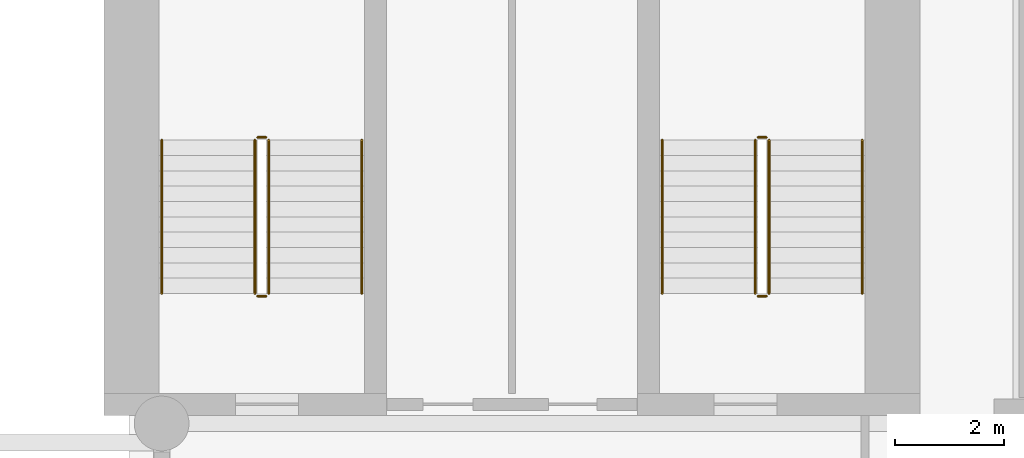
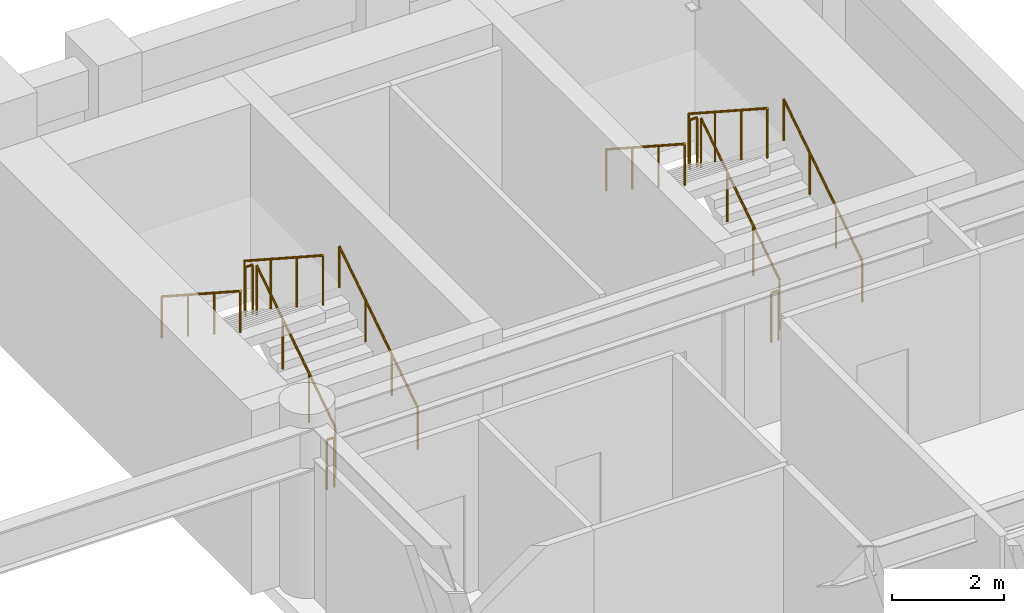
# One storey, part 7 of 7: 12 railings.
"""IFC4 building model written with IfcOpenShell, lengths in metres."""

from ifc_helpers import new_model, si_unit, direction, frame, origin, origin_2d, place, context, subcontext, project, spatial, circle, extrude, material, type_object, element, save


model = new_model("IFC4")

# Units and contexts
model_context = context("Model", 3, precision=1e-05, world=origin(), true_north=direction((0.0, 1.0)))
body_context = subcontext(model_context, "Body", "Model", "MODEL_VIEW")
ifc_project = project(units=[si_unit("LENGTHUNIT", "METRE"), si_unit("AREAUNIT", "SQUARE_METRE"), si_unit("VOLUMEUNIT", "CUBIC_METRE"), si_unit("PLANEANGLEUNIT", "RADIAN"), si_unit("MASSUNIT", "GRAM", prefix="KILO")], contexts=[model_context])

# Site, building, storey
site_placement = place(None, origin())
site = spatial("IfcSite", under=ifc_project, at=site_placement, CompositionType="ELEMENT")
building_placement = place(site_placement, origin())
building = spatial("IfcBuilding", under=site, at=building_placement, Name="Sulina Concourse Tower", CompositionType="ELEMENT")
storey_placement = place(building_placement, frame((0.0, 0.0, 34.60009765625)))
storey = spatial("IfcBuildingStorey", under=building, at=storey_placement, Name="L08", CompositionType="ELEMENT", Elevation=34.60009765625)

# Railings
ifc_material_1 = material(Name="Galvanised steel railing", Category="steel")
railing_type_1 = type_object("IfcRailingType", Name="Core Stair Steel Guardrail 1150mm", PredefinedType="GUARDRAIL", material=ifc_material_1)
railing_1_placement = place(storey_placement, frame((43.554931640625, 36.375, 0.181640625)))
element("IfcRailing", 1, at=railing_1_placement, inside=storey, type_object=railing_type_1, Name="L08 ST-3 stair guard 1", PredefinedType="GUARDRAIL", context=body_context, shape_type="SweptSolid", body=[
    extrude(circle(Radius=0.02392578125, at=origin_2d()), frame((0.0, 0.0, 1.076171875), z_axis=(0.0, 0.838672427954, 0.544636170843), x_axis=(-1.0, 0.0, 0.0)), (0.0, 0.0, 1.0), 3.338623046875),
    extrude(circle(Radius=0.02099609375, at=origin_2d()), origin(), (0.0, 0.0, 1.0), 1.052001953125),
    extrude(circle(Radius=0.02099609375, at=origin_2d()), frame((0.0, 0.933349609375, 0.606201171875)), (0.0, 0.0, 1.0), 1.052001953125),
    extrude(circle(Radius=0.02099609375, at=origin_2d()), frame((0.0, 1.86669921875, 1.212158203125)), (0.0, 0.0, 1.0), 1.052001953125),
    extrude(circle(Radius=0.02099609375, at=origin_2d()), frame((0.0, 2.800048828125, 1.818359375)), (0.0, 0.0, 1.0), 1.052001953125),
])
railing_2_placement = place(storey_placement, frame((43.5048828125, 39.22509765625, 2.0)))
element("IfcRailing", 2, at=railing_2_placement, inside=storey, type_object=railing_type_1, Name="L08 ST-3 stair guard 2", PredefinedType="GUARDRAIL", context=body_context, shape_type="SweptSolid", body=[
    extrude(circle(Radius=0.02392578125, at=origin_2d()), frame((0.0, 0.0, 1.076171875), z_axis=(-1.0, 0.0, 0.0), x_axis=(0.0, -1.0, 0.0)), (0.0, 0.0, 1.0), 0.14990234375),
    extrude(circle(Radius=0.02099609375, at=origin_2d()), origin(), (0.0, 0.0, 1.0), 1.052001953125),
    extrude(circle(Radius=0.02099609375, at=origin_2d()), frame((-0.14990234375, 0.0, 0.0)), (0.0, 0.0, 1.0), 1.052001953125),
])
railing_3_placement = place(storey_placement, frame((43.304931640625, 39.175048828125, 2.181640625)))
element("IfcRailing", 3, at=railing_3_placement, inside=storey, type_object=railing_type_1, Name="L08 ST-3 stair guard 3", PredefinedType="GUARDRAIL", context=body_context, shape_type="SweptSolid", body=[
    extrude(circle(Radius=0.02392578125, at=origin_2d()), frame((0.0, 0.0, 1.076171875), z_axis=(0.0, -0.838672427954, 0.544636170843), x_axis=(1.0, 0.0, 0.0)), (0.0, 0.0, 1.0), 3.338623046875),
    extrude(circle(Radius=0.02099609375, at=origin_2d()), origin(), (0.0, 0.0, 1.0), 1.052001953125),
    extrude(circle(Radius=0.02099609375, at=origin_2d()), frame((0.0, -0.933349609375, 0.606201171875)), (0.0, 0.0, 1.0), 1.052001953125),
    extrude(circle(Radius=0.02099609375, at=origin_2d()), frame((0.0, -1.86669921875, 1.212158203125)), (0.0, 0.0, 1.0), 1.052001953125),
    extrude(circle(Radius=0.02099609375, at=origin_2d()), frame((0.0, -2.800048828125, 1.818359375)), (0.0, 0.0, 1.0), 1.052001953125),
])
railing_4_placement = place(storey_placement, frame((43.5048828125, 36.324951171875, 0.0)))
element("IfcRailing", 4, at=railing_4_placement, inside=storey, type_object=railing_type_1, Name="L08 ST-3 stair guard 4", PredefinedType="GUARDRAIL", context=body_context, shape_type="SweptSolid", body=[
    extrude(circle(Radius=0.02392578125, at=origin_2d()), frame((0.0, 0.0, 1.076171875), z_axis=(-1.0, 0.0, 0.0), x_axis=(0.0, -1.0, 0.0)), (0.0, 0.0, 1.0), 0.14990234375),
    extrude(circle(Radius=0.02099609375, at=origin_2d()), origin(), (0.0, 0.0, 1.0), 1.052001953125),
    extrude(circle(Radius=0.02099609375, at=origin_2d()), frame((-0.14990234375, 0.0, 0.0)), (0.0, 0.0, 1.0), 1.052001953125),
])
railing_5_placement = place(storey_placement, frame((52.695068359375, 36.375, 0.181640625)))
element("IfcRailing", 5, at=railing_5_placement, inside=storey, type_object=railing_type_1, Name="L08 ST-4 stair guard 1", PredefinedType="GUARDRAIL", context=body_context, shape_type="SweptSolid", body=[
    extrude(circle(Radius=0.02392578125, at=origin_2d()), frame((0.0, 0.0, 1.076171875), z_axis=(0.0, 0.838672427954, 0.544636170843), x_axis=(-1.0, 0.0, 0.0)), (0.0, 0.0, 1.0), 3.338623046875),
    extrude(circle(Radius=0.02099609375, at=origin_2d()), origin(), (0.0, 0.0, 1.0), 1.052001953125),
    extrude(circle(Radius=0.02099609375, at=origin_2d()), frame((0.0, 0.933349609375, 0.606201171875)), (0.0, 0.0, 1.0), 1.052001953125),
    extrude(circle(Radius=0.02099609375, at=origin_2d()), frame((0.0, 1.86669921875, 1.212158203125)), (0.0, 0.0, 1.0), 1.052001953125),
    extrude(circle(Radius=0.02099609375, at=origin_2d()), frame((0.0, 2.800048828125, 1.818359375)), (0.0, 0.0, 1.0), 1.052001953125),
])
railing_6_placement = place(storey_placement, frame((52.64501953125, 39.22509765625, 2.0)))
element("IfcRailing", 6, at=railing_6_placement, inside=storey, type_object=railing_type_1, Name="L08 ST-4 stair guard 2", PredefinedType="GUARDRAIL", context=body_context, shape_type="SweptSolid", body=[
    extrude(circle(Radius=0.02392578125, at=origin_2d()), frame((0.0, 0.0, 1.076171875), z_axis=(-1.0, 0.0, 0.0), x_axis=(0.0, -1.0, 0.0)), (0.0, 0.0, 1.0), 0.14990234375),
    extrude(circle(Radius=0.02099609375, at=origin_2d()), origin(), (0.0, 0.0, 1.0), 1.052001953125),
    extrude(circle(Radius=0.02099609375, at=origin_2d()), frame((-0.14990234375, 0.0, 0.0)), (0.0, 0.0, 1.0), 1.052001953125),
])
railing_7_placement = place(storey_placement, frame((52.445068359375, 39.175048828125, 2.181640625)))
element("IfcRailing", 7, at=railing_7_placement, inside=storey, type_object=railing_type_1, Name="L08 ST-4 stair guard 3", PredefinedType="GUARDRAIL", context=body_context, shape_type="SweptSolid", body=[
    extrude(circle(Radius=0.02392578125, at=origin_2d()), frame((0.0, 0.0, 1.076171875), z_axis=(0.0, -0.838672427954, 0.544636170843), x_axis=(1.0, 0.0, 0.0)), (0.0, 0.0, 1.0), 3.338623046875),
    extrude(circle(Radius=0.02099609375, at=origin_2d()), origin(), (0.0, 0.0, 1.0), 1.052001953125),
    extrude(circle(Radius=0.02099609375, at=origin_2d()), frame((0.0, -0.933349609375, 0.606201171875)), (0.0, 0.0, 1.0), 1.052001953125),
    extrude(circle(Radius=0.02099609375, at=origin_2d()), frame((0.0, -1.86669921875, 1.212158203125)), (0.0, 0.0, 1.0), 1.052001953125),
    extrude(circle(Radius=0.02099609375, at=origin_2d()), frame((0.0, -2.800048828125, 1.818359375)), (0.0, 0.0, 1.0), 1.052001953125),
])
railing_8_placement = place(storey_placement, frame((52.64501953125, 36.324951171875, 0.0)))
element("IfcRailing", 8, at=railing_8_placement, inside=storey, type_object=railing_type_1, Name="L08 ST-4 stair guard 4", PredefinedType="GUARDRAIL", context=body_context, shape_type="SweptSolid", body=[
    extrude(circle(Radius=0.02392578125, at=origin_2d()), frame((0.0, 0.0, 1.076171875), z_axis=(-1.0, 0.0, 0.0), x_axis=(0.0, -1.0, 0.0)), (0.0, 0.0, 1.0), 0.14990234375),
    extrude(circle(Radius=0.02099609375, at=origin_2d()), origin(), (0.0, 0.0, 1.0), 1.052001953125),
    extrude(circle(Radius=0.02099609375, at=origin_2d()), frame((-0.14990234375, 0.0, 0.0)), (0.0, 0.0, 1.0), 1.052001953125),
])
ifc_material_2 = material(Name="Galvanised steel railing", Category="steel")
railing_type_2 = type_object("IfcRailingType", Name="Stair Wall Steel Handrail 920mm", PredefinedType="HANDRAIL", material=ifc_material_2)
railing_9_placement = place(storey_placement, frame((45.2548828125, 36.375, 0.181640625)))
element("IfcRailing", 9, at=railing_9_placement, inside=storey, type_object=railing_type_2, Name="L08 ST-3 stair handrail 1", PredefinedType="HANDRAIL", context=body_context, shape_type="SweptSolid", body=[
    extrude(circle(Radius=0.02392578125, at=origin_2d()), frame((0.0, 0.0, 0.89599609375), z_axis=(0.0, 0.838672427954, 0.544636170843), x_axis=(-1.0, 0.0, 0.0)), (0.0, 0.0, 1.0), 3.338623046875),
    extrude(circle(Radius=0.02099609375, at=origin_2d()), origin(), (0.0, 0.0, 1.0), 0.871826171875),
    extrude(circle(Radius=0.02099609375, at=origin_2d()), frame((0.0, 0.933349609375, 0.606201171875)), (0.0, 0.0, 1.0), 0.871826171875),
    extrude(circle(Radius=0.02099609375, at=origin_2d()), frame((0.0, 1.86669921875, 1.212158203125)), (0.0, 0.0, 1.0), 0.871826171875),
    extrude(circle(Radius=0.02099609375, at=origin_2d()), frame((0.0, 2.800048828125, 1.818359375)), (0.0, 0.0, 1.0), 0.871826171875),
])
railing_10_placement = place(storey_placement, frame((41.60498046875, 39.175048828125, 2.181640625)))
element("IfcRailing", 10, at=railing_10_placement, inside=storey, type_object=railing_type_2, Name="L08 ST-3 stair handrail 2", PredefinedType="HANDRAIL", context=body_context, shape_type="SweptSolid", body=[
    extrude(circle(Radius=0.02392578125, at=origin_2d()), frame((0.0, 0.0, 0.89599609375), z_axis=(0.0, -0.838672427954, 0.544636170843), x_axis=(1.0, 0.0, 0.0)), (0.0, 0.0, 1.0), 3.338623046875),
    extrude(circle(Radius=0.02099609375, at=origin_2d()), origin(), (0.0, 0.0, 1.0), 0.871826171875),
    extrude(circle(Radius=0.02099609375, at=origin_2d()), frame((0.0, -0.933349609375, 0.606201171875)), (0.0, 0.0, 1.0), 0.871826171875),
    extrude(circle(Radius=0.02099609375, at=origin_2d()), frame((0.0, -1.86669921875, 1.212158203125)), (0.0, 0.0, 1.0), 0.871826171875),
    extrude(circle(Radius=0.02099609375, at=origin_2d()), frame((0.0, -2.800048828125, 1.818359375)), (0.0, 0.0, 1.0), 0.871826171875),
])
railing_11_placement = place(storey_placement, frame((54.39501953125, 36.375, 0.181640625)))
element("IfcRailing", 11, at=railing_11_placement, inside=storey, type_object=railing_type_2, Name="L08 ST-4 stair handrail 1", PredefinedType="HANDRAIL", context=body_context, shape_type="SweptSolid", body=[
    extrude(circle(Radius=0.02392578125, at=origin_2d()), frame((0.0, 0.0, 0.89599609375), z_axis=(0.0, 0.838672427954, 0.544636170843), x_axis=(-1.0, 0.0, 0.0)), (0.0, 0.0, 1.0), 3.338623046875),
    extrude(circle(Radius=0.02099609375, at=origin_2d()), origin(), (0.0, 0.0, 1.0), 0.871826171875),
    extrude(circle(Radius=0.02099609375, at=origin_2d()), frame((0.0, 0.933349609375, 0.606201171875)), (0.0, 0.0, 1.0), 0.871826171875),
    extrude(circle(Radius=0.02099609375, at=origin_2d()), frame((0.0, 1.86669921875, 1.212158203125)), (0.0, 0.0, 1.0), 0.871826171875),
    extrude(circle(Radius=0.02099609375, at=origin_2d()), frame((0.0, 2.800048828125, 1.818359375)), (0.0, 0.0, 1.0), 0.871826171875),
])
railing_12_placement = place(storey_placement, frame((50.7451171875, 39.175048828125, 2.181640625)))
element("IfcRailing", 12, at=railing_12_placement, inside=storey, type_object=railing_type_2, Name="L08 ST-4 stair handrail 2", PredefinedType="HANDRAIL", context=body_context, shape_type="SweptSolid", body=[
    extrude(circle(Radius=0.02392578125, at=origin_2d()), frame((0.0, 0.0, 0.89599609375), z_axis=(0.0, -0.838672427954, 0.544636170843), x_axis=(1.0, 0.0, 0.0)), (0.0, 0.0, 1.0), 3.338623046875),
    extrude(circle(Radius=0.02099609375, at=origin_2d()), origin(), (0.0, 0.0, 1.0), 0.871826171875),
    extrude(circle(Radius=0.02099609375, at=origin_2d()), frame((0.0, -0.933349609375, 0.606201171875)), (0.0, 0.0, 1.0), 0.871826171875),
    extrude(circle(Radius=0.02099609375, at=origin_2d()), frame((0.0, -1.86669921875, 1.212158203125)), (0.0, 0.0, 1.0), 0.871826171875),
    extrude(circle(Radius=0.02099609375, at=origin_2d()), frame((0.0, -2.800048828125, 1.818359375)), (0.0, 0.0, 1.0), 0.871826171875),
])

save(model, "model.ifc")
